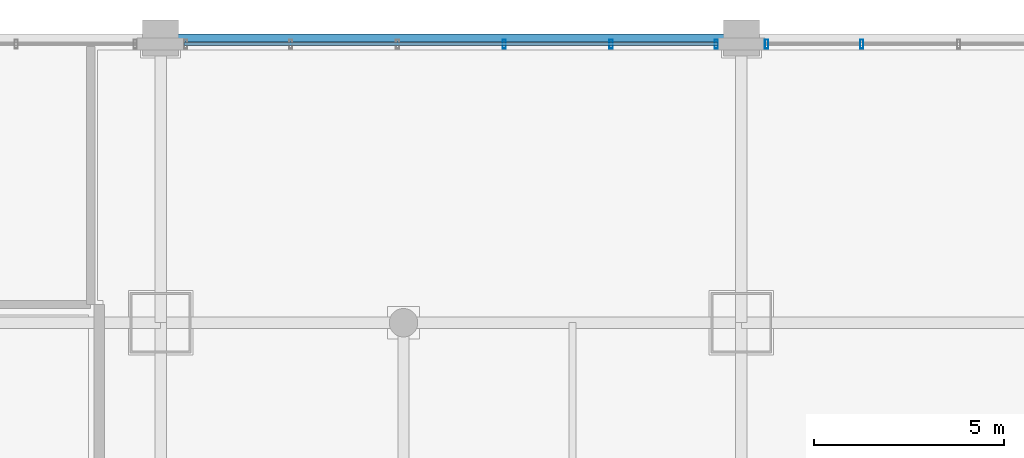
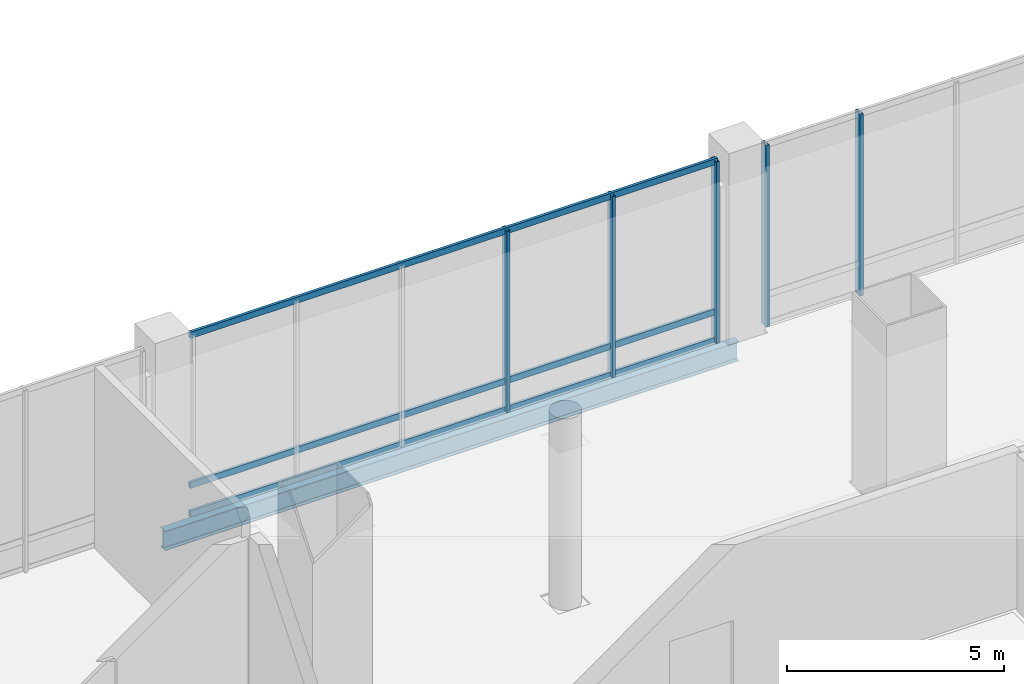
# One storey, part 17 of 39: 8 members, 1 beam, 2 elements without a shape of their own.
"""IFC4 building model written with IfcOpenShell, lengths in metres."""

from ifc_helpers import new_model, si_unit, direction, frame, origin, origin_2d, place, context, subcontext, project, spatial, hollow_rectangle, i_section, extrude, material, material_profile, profile_set, type_object, element, aggregate, save


model = new_model("IFC4")

# Units and contexts
model_context = context("Model", 3, precision=1e-05, world=origin(), true_north=direction((0.0, 1.0)))
body_context = subcontext(model_context, "Body", "Model", "MODEL_VIEW")
ifc_project = project(units=[si_unit("LENGTHUNIT", "METRE"), si_unit("AREAUNIT", "SQUARE_METRE"), si_unit("VOLUMEUNIT", "CUBIC_METRE"), si_unit("PLANEANGLEUNIT", "RADIAN"), si_unit("MASSUNIT", "GRAM", prefix="KILO")], contexts=[model_context])

# Site, building, storey
site_placement = place(None, origin())
site = spatial("IfcSite", under=ifc_project, at=site_placement, CompositionType="ELEMENT")
building_placement = place(site_placement, origin())
building = spatial("IfcBuilding", under=site, at=building_placement, Name="Punatoya Terracotta Tower", CompositionType="ELEMENT")
storey_placement = place(building_placement, frame((0.0, 0.0, 11.39990234375)))
storey = spatial("IfcBuildingStorey", under=building, at=storey_placement, Name="L02", CompositionType="ELEMENT", Elevation=11.39990234375)

# Beam
ifc_material_1 = material(Name="Steel S355", Category="steel")
ifc_material_profile_1 = material_profile(ifc_material_1, i_section(OverallWidth=0.2099609375, OverallDepth=0.550048828125, WebThickness=0.010986328125, FlangeThickness=0.01708984375, FilletRadius=0.01806640625, at=origin_2d()))
ifc_profile_set_1 = profile_set([ifc_material_profile_1], Name="Steel S355")
beam_type = type_object("IfcBeamType", Name="BM-SPN-550", PredefinedType="SPANDREL", material=ifc_profile_set_1)
beam_placement = place(storey_placement, frame((3.800048828125, 25.0, -0.554931640625), z_axis=(1.0, 0.0, 0.0), x_axis=(0.0, 1.0, 0.0)))
element("IfcBeam", 1, at=beam_placement, inside=storey, type_object=beam_type, Name="BM-L02-MIDH-3", PredefinedType="SPANDREL", context=body_context, shape_type="SweptSolid", body=[
    extrude(i_section(OverallWidth=0.2099609375, OverallDepth=0.550048828125, WebThickness=0.010986328125, FlangeThickness=0.01708984375, FilletRadius=0.01806640625, at=origin_2d()), origin(), (0.0, 0.0, 1.0), 15.300048828125),
])

# Curtain wall, members
ifc_material_2 = material(Name="Aluminium 6063-T6 + Double Low-E Glass", Category="aluminium")
curtain_wall_type = type_object("IfcCurtainWallType", Name="CW-POD", PredefinedType="NOTDEFINED", material=ifc_material_2)
curtain_wall_1_placement = place(storey_placement, origin())
curtain_wall_1 = element("IfcCurtainWall", 2, at=curtain_wall_1_placement, inside=storey, type_object=curtain_wall_type, Name="L02 Curtain Wall CWP-L02-N5", PredefinedType="NOTDEFINED")
ifc_material_3 = material(Name="Aluminium 6063-T6", Category="aluminium")
ifc_material_profile_2 = material_profile(ifc_material_3, hollow_rectangle(XDim=0.0849609375, YDim=0.239990234375, WallThickness=0.0048828125, at=origin_2d()))
ifc_profile_set_2 = profile_set([ifc_material_profile_2], Name="Aluminium 6063-T6")
member_type_1 = type_object("IfcMemberType", Name="CW-MUL-POD", PredefinedType="MULLION", material=ifc_profile_set_2)
member_1_placement = place(storey_placement, frame((18.43505859375, 24.840087890625, 0.0), z_axis=(0.0, 0.0, 1.0), x_axis=(1.0, 0.0, 0.0)))
member_1 = element("IfcMember", 3, at=member_1_placement, type_object=member_type_1, Name="CWP-L02-N5 Mullion 00", PredefinedType="MULLION", context=body_context, shape_type="SweptSolid", body=[
    extrude(hollow_rectangle(XDim=0.0849609375, YDim=0.239990234375, WallThickness=0.0048828125, at=origin_2d()), origin(), (0.0, 0.0, 1.0), 5.1201171875),
])
member_2_placement = place(storey_placement, frame((15.66796875, 24.840087890625, 0.0), z_axis=(0.0, 0.0, 1.0), x_axis=(1.0, 0.0, 0.0)))
member_2 = element("IfcMember", 4, at=member_2_placement, type_object=member_type_1, Name="CWP-L02-N5 Mullion 01", PredefinedType="MULLION", context=body_context, shape_type="SweptSolid", body=[
    extrude(hollow_rectangle(XDim=0.0849609375, YDim=0.239990234375, WallThickness=0.0048828125, at=origin_2d()), origin(), (0.0, 0.0, 1.0), 5.1201171875),
])
member_3_placement = place(storey_placement, frame((12.85595703125, 24.840087890625, 0.0), z_axis=(0.0, 0.0, 1.0), x_axis=(1.0, 0.0, 0.0)))
member_3 = element("IfcMember", 5, at=member_3_placement, type_object=member_type_1, Name="CWP-L02-N5 Mullion 02", PredefinedType="MULLION", context=body_context, shape_type="SweptSolid", body=[
    extrude(hollow_rectangle(XDim=0.0849609375, YDim=0.239990234375, WallThickness=0.0048828125, at=origin_2d()), origin(), (0.0, 0.0, 1.0), 5.1201171875),
])

curtain_wall_2_placement = place(storey_placement, origin())
curtain_wall_2 = element("IfcCurtainWall", 6, at=curtain_wall_2_placement, inside=storey, type_object=curtain_wall_type, Name="L02 Curtain Wall CWP-L02-N6", PredefinedType="NOTDEFINED")
member_4_placement = place(storey_placement, frame((22.273193359375, 24.840087890625, 0.0), z_axis=(0.0, 0.0, 1.0), x_axis=(1.0, 0.0, 0.0)))
member_4 = element("IfcMember", 7, at=member_4_placement, type_object=member_type_1, Name="CWP-L02-N6 Mullion 02", PredefinedType="MULLION", context=body_context, shape_type="SweptSolid", body=[
    extrude(hollow_rectangle(XDim=0.0849609375, YDim=0.239990234375, WallThickness=0.0048828125, at=origin_2d()), origin(), (0.0, 0.0, 1.0), 5.1201171875),
])
member_5_placement = place(storey_placement, frame((19.764892578125, 24.840087890625, 0.0), z_axis=(0.0, 0.0, 1.0), x_axis=(1.0, 0.0, 0.0)))
member_5 = element("IfcMember", 8, at=member_5_placement, type_object=member_type_1, Name="CWP-L02-N6 Mullion 03", PredefinedType="MULLION", context=body_context, shape_type="SweptSolid", body=[
    extrude(hollow_rectangle(XDim=0.0849609375, YDim=0.239990234375, WallThickness=0.0048828125, at=origin_2d()), origin(), (0.0, 0.0, 1.0), 5.1201171875),
])
aggregate(curtain_wall_2, [member_4, member_5])

# Member
ifc_material_profile_3 = material_profile(ifc_material_3, hollow_rectangle(XDim=0.074951171875, YDim=0.175048828125, WallThickness=0.00439453125, at=origin_2d()))
ifc_profile_set_3 = profile_set([ifc_material_profile_3], Name="Aluminium 6063-T6")
member_type_2 = type_object("IfcMemberType", Name="CW-TRN-POD", PredefinedType="USERDEFINED", material=ifc_profile_set_3)
member_6_placement = place(storey_placement, frame((18.47998046875, 24.840087890625, 0.0400390625), z_axis=(-1.0, 0.0, 0.0), x_axis=(0.0, -1.0, 0.0)))
member_6 = element("IfcMember", 9, at=member_6_placement, type_object=member_type_2, Name="CWP-L02-N5 Transom 1", ObjectType="TRANSOM", PredefinedType="USERDEFINED", context=body_context, shape_type="SweptSolid", body=[
    extrude(hollow_rectangle(XDim=0.074951171875, YDim=0.175048828125, WallThickness=0.00439453125, at=origin_2d()), origin(), (0.0, 0.0, 1.0), 14.06005859375),
])

member_7_placement = place(storey_placement, frame((18.47998046875, 24.840087890625, 0.85009765625), z_axis=(-1.0, 0.0, 0.0), x_axis=(0.0, -1.0, 0.0)))
member_7 = element("IfcMember", 10, at=member_7_placement, type_object=member_type_2, Name="CWP-L02-N5 Transom 2", ObjectType="TRANSOM", PredefinedType="USERDEFINED", context=body_context, shape_type="SweptSolid", body=[
    extrude(hollow_rectangle(XDim=0.074951171875, YDim=0.175048828125, WallThickness=0.00439453125, at=origin_2d()), origin(), (0.0, 0.0, 1.0), 14.06005859375),
])

member_8_placement = place(storey_placement, frame((18.47998046875, 24.840087890625, 5.080078125), z_axis=(-1.0, 0.0, 0.0), x_axis=(0.0, -1.0, 0.0)))
member_8 = element("IfcMember", 11, at=member_8_placement, type_object=member_type_2, Name="CWP-L02-N5 Transom 3", ObjectType="TRANSOM", PredefinedType="USERDEFINED", context=body_context, shape_type="SweptSolid", body=[
    extrude(hollow_rectangle(XDim=0.074951171875, YDim=0.175048828125, WallThickness=0.00439453125, at=origin_2d()), origin(), (0.0, 0.0, 1.0), 14.06005859375),
])

aggregate(curtain_wall_1, [member_1, member_2, member_3, member_6, member_7, member_8])

save(model, "model.ifc")
